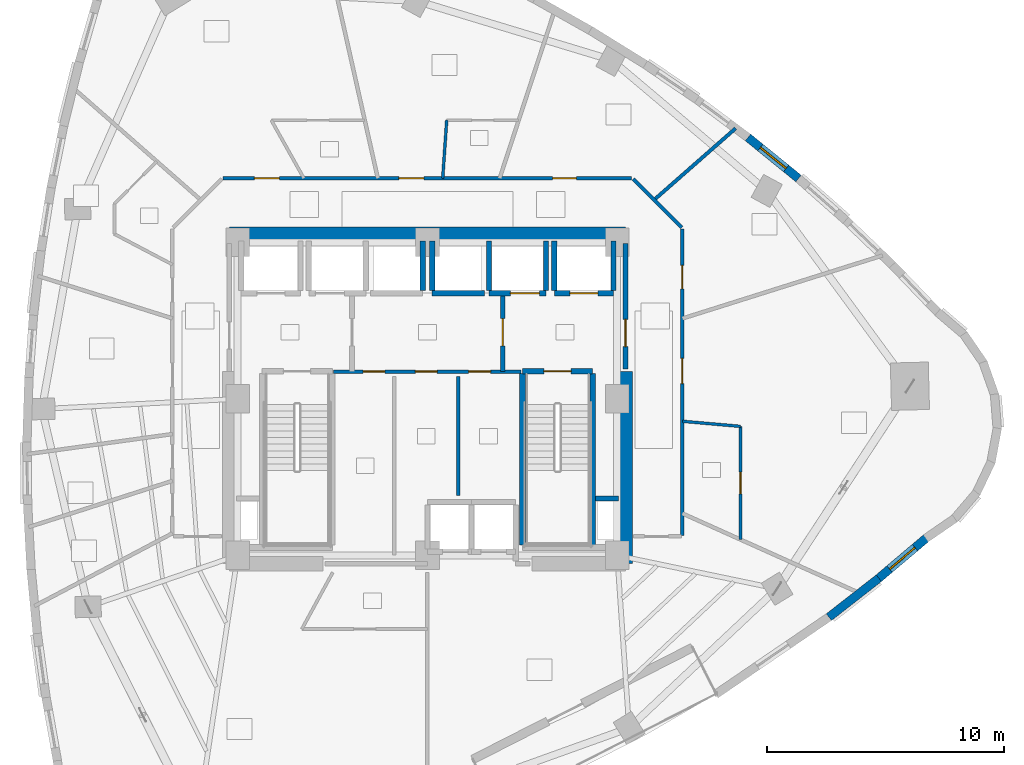
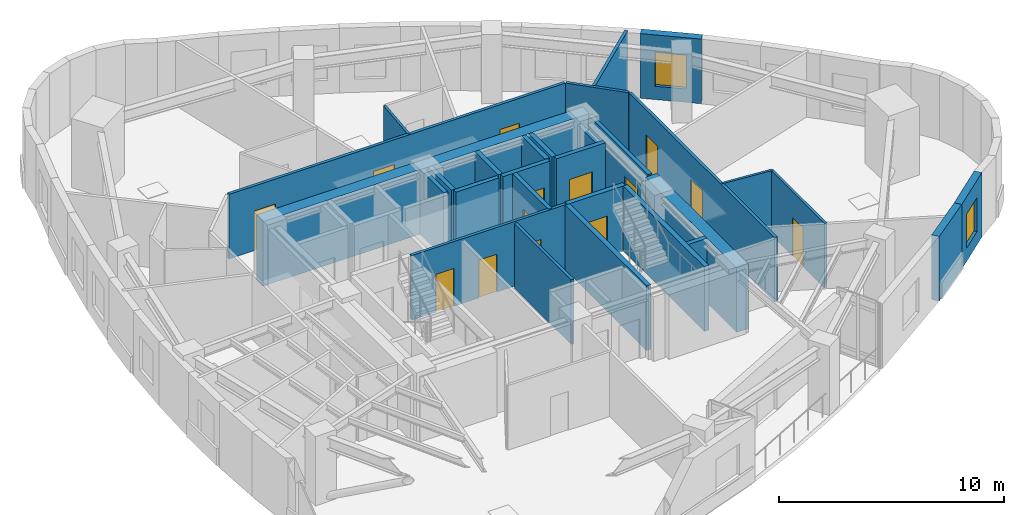
# One storey, part 7 of 12: 29 walls, 14 doors, 2 windows, 16 openings.
"""IFC4 building model written with IfcOpenShell, lengths in metres."""

import ifcopenshell
import ifcopenshell.guid

model = None  # the IFC model being written
_history = None  # IfcOwnerHistory: only IFC2X3 demands one
_inside = {}  # id of a spatial element -> (the spatial element, [elements in it])
_under = {}  # id of a project, library or spatial element -> (it, [spatial elements below it])
_declared = {}  # id of a project -> (the project, [libraries it declares])
_typed = {}  # id of a type object -> (the type object, [elements of that type])
_made_of = {}  # id of a material, layer set ... -> (it, [elements and type objects made of it])


def new_model(schema):
    """Start an empty IFC model of exactly this schema.

    Asked for "IFC4X3", IfcOpenShell would pick the latest addendum, in which some entities
    have other attributes; the version numbers below select the first issue.
    IFC2X3 requires an IfcOwnerHistory on every rooted entity: one is made here for all.
    """
    global model, _history
    if schema == "IFC4X3":
        model = ifcopenshell.file(schema_version=(4, 3, 0, 0))
    else:
        model = ifcopenshell.file(schema=schema)
    _inside.clear()
    _under.clear()
    _declared.clear()
    _typed.clear()
    _made_of.clear()
    _history = None
    if model.schema == "IFC2X3":
        org = make("IfcOrganization", Name="unknown")
        user = make(
            "IfcPersonAndOrganization",
            ThePerson=make("IfcPerson", FamilyName="unknown"),
            TheOrganization=org,
        )
        app = make(
            "IfcApplication",
            ApplicationDeveloper=org,
            Version="unknown",
            ApplicationFullName="unknown",
            ApplicationIdentifier="unknown",
        )
        _history = make(
            "IfcOwnerHistory",
            OwningUser=user,
            OwningApplication=app,
            ChangeAction="ADDED",
            CreationDate=0,
        )
    return model


def make(cls, **values):
    """One entity of the class cls with the attributes given. An attribute that is None is left unset."""
    return model.create_entity(
        cls, **{name: value for name, value in values.items() if value is not None}
    )


def rooted(cls, **values):
    """An entity with a GlobalId (a new one), such as an element, a storey or a relation."""
    return make(cls, GlobalId=ifcopenshell.guid.new(), OwnerHistory=_history, **values)


def si_unit(unit_type, name, prefix=None):
    """IfcSIUnit, for example si_unit("LENGTHUNIT", "METRE", prefix="MILLI")."""
    return make("IfcSIUnit", UnitType=unit_type, Prefix=prefix, Name=name)


def assignment(units):
    """IfcUnitAssignment: the units of a project."""
    return None if units is None else make("IfcUnitAssignment", Units=units)


def point(xyz):
    """IfcCartesianPoint."""
    return None if xyz is None else make("IfcCartesianPoint", Coordinates=xyz)


def direction(xyz):
    """IfcDirection."""
    return None if xyz is None else make("IfcDirection", DirectionRatios=xyz)


def frame(location, z_axis=None, x_axis=None):
    """IfcAxis2Placement3D, a coordinate frame: its origin and axes. An axis left out is left unset."""
    return make(
        "IfcAxis2Placement3D",
        Location=point(location),
        Axis=direction(z_axis),
        RefDirection=direction(x_axis),
    )


def frame_2d(location, x_axis=None):
    """IfcAxis2Placement2D, a coordinate frame in the plane: its origin and x axis."""
    return make(
        "IfcAxis2Placement2D", Location=point(location), RefDirection=direction(x_axis)
    )


def origin():
    """The frame at (0, 0, 0) with its axes left unset."""
    return frame((0.0, 0.0, 0.0))


def place(relative_to, where):
    """IfcLocalPlacement: puts the frame where relative to a parent placement (None: the world)."""
    return make(
        "IfcLocalPlacement", PlacementRelTo=relative_to, RelativePlacement=where
    )


def context(
    kind, dimensions, precision=None, world=None, true_north=None, identifier=None
):
    """IfcGeometricRepresentationContext, for example the 3D "Model" context."""
    return make(
        "IfcGeometricRepresentationContext",
        ContextIdentifier=identifier,
        ContextType=kind,
        CoordinateSpaceDimension=dimensions,
        Precision=precision,
        WorldCoordinateSystem=world,
        TrueNorth=true_north,
    )


def subcontext(parent, identifier, kind, view, scale=None):
    """IfcGeometricRepresentationSubContext, for example "Body" below "Model"."""
    return make(
        "IfcGeometricRepresentationSubContext",
        ContextIdentifier=identifier,
        ContextType=kind,
        ParentContext=parent,
        TargetScale=scale,
        TargetView=view,
    )


def project(units=None, contexts=None):
    """IfcProject with its units and contexts."""
    return rooted(
        "IfcProject",
        Name="project",
        RepresentationContexts=contexts,
        UnitsInContext=assignment(units),
    )


def spatial(cls, under=None, at=None, **own):
    """A site, building, storey or space (cls), placed at a placement, below another one or the project."""
    s = rooted(cls, ObjectPlacement=at, **own)
    if under is not None:
        _under.setdefault(under.id(), (under, []))[1].append(s)
    return s


def profile(cls, at=None, kind="AREA", **sizes):
    """A parametric profile (cls). Its sizes go by their IFC names, for example OverallWidth=200.0."""
    return make(cls, ProfileType=kind, Position=at, **sizes)


def rectangle(**sizes):
    """IfcRectangleProfileDef."""
    return profile("IfcRectangleProfileDef", **sizes)


def extrude(swept, where, along, depth):
    """IfcExtrudedAreaSolid: the profile swept, set in the frame where, extruded along a direction by depth."""
    return make(
        "IfcExtrudedAreaSolid",
        SweptArea=swept,
        Position=where,
        ExtrudedDirection=direction(along),
        Depth=depth,
    )


def shape(context_of_items, identifier, shape_type, items):
    """IfcShapeRepresentation: the items that make up one representation, for example the "Body"."""
    return make(
        "IfcShapeRepresentation",
        ContextOfItems=context_of_items,
        RepresentationIdentifier=identifier,
        RepresentationType=shape_type,
        Items=items,
    )


def material(Name=None, Category=None):
    """IfcMaterial."""
    return make("IfcMaterial", Name=Name, Category=Category)


def layer(
    of_material, thickness, ventilated=None, Name=None, Category=None, Priority=None
):
    """IfcMaterialLayer: one layer of a wall or slab, of a material (None: an air gap)."""
    return make(
        "IfcMaterialLayer",
        Material=of_material,
        LayerThickness=thickness,
        IsVentilated=ventilated,
        Name=Name,
        Category=Category,
        Priority=Priority,
    )


def layer_set(layers, Name=None):
    """IfcMaterialLayerSet."""
    return make("IfcMaterialLayerSet", MaterialLayers=layers, LayerSetName=Name)


def made_of(thing, what):
    """Note that an element or type object is made of a material, layer set ...; save() writes the relation."""
    if what is not None:
        _made_of.setdefault(what.id(), (what, []))[1].append(thing)
    return thing


def type_object(cls, material=None, **own):
    """A type object (cls), such as IfcWallType, which elements share."""
    return made_of(rooted(cls, **own), material)


def element(
    cls,
    number,
    at=None,
    inside=None,
    cuts=None,
    type_object=None,
    material=None,
    context=None,
    identifier="Body",
    shape_type=None,
    held_by="IfcProductDefinitionShape",
    body=None,
    shapes=None,
    **own,
):
    """One element of the class cls, such as IfcWall. Its Tag is "e" and its number.

    at: its placement. inside: the storey or other place that contains it. cuts: it is an
    opening in that element (IfcRelVoidsElement). A single representation is given by context,
    identifier, shape_type and body (its items); several are given by shapes. held_by: the class
    of the entity that holds the representations. save() writes the other relations.
    """
    e = rooted(cls, Tag="e%d" % number, ObjectPlacement=at, **own)
    if body is not None:
        shapes = [shape(context, identifier, shape_type, body)]
    if shapes is not None:
        e.Representation = make(held_by, Representations=shapes)
    if inside is not None:
        _inside.setdefault(inside.id(), (inside, []))[1].append(e)
    if cuts is not None:
        rooted(
            "IfcRelVoidsElement", RelatingBuildingElement=cuts, RelatedOpeningElement=e
        )
    if type_object is not None:
        _typed.setdefault(type_object.id(), (type_object, []))[1].append(e)
    return made_of(e, material)


def fill(opening, filler):
    """IfcRelFillsElement: the door or window that sits in an opening."""
    return rooted(
        "IfcRelFillsElement",
        RelatingOpeningElement=opening,
        RelatedBuildingElement=filler,
    )


def aggregate(whole, parts):
    """IfcRelAggregates: a whole, such as a stair, and the parts it consists of."""
    return rooted("IfcRelAggregates", RelatingObject=whole, RelatedObjects=parts)


def save(model, path):
    """Write the relations noted so far, then the file.

    IfcRelAggregates (storeys below a building ...), IfcRelContainedInSpatialStructure (elements
    in a storey), IfcRelDefinesByType, IfcRelAssociatesMaterial and IfcRelDeclares: one each for
    every whole, place, type object, material and project.
    """
    for whole, parts in _under.values():
        aggregate(whole, parts)
    for where, things in _inside.values():
        rooted(
            "IfcRelContainedInSpatialStructure",
            RelatedElements=things,
            RelatingStructure=where,
        )
    for kind, things in _typed.values():
        rooted("IfcRelDefinesByType", RelatedObjects=things, RelatingType=kind)
    for what, things in _made_of.values():
        rooted("IfcRelAssociatesMaterial", RelatedObjects=things, RelatingMaterial=what)
    for by, libraries in _declared.values():
        rooted("IfcRelDeclares", RelatingContext=by, RelatedDefinitions=libraries)
    model.write(path)


model = new_model("IFC4")

# Units and contexts
model_context = context("Model", 3, precision=1e-05, world=origin(), true_north=direction((0.0, 1.0)))
body_context = subcontext(model_context, "Body", "Model", "MODEL_VIEW")
ifc_project = project(units=[si_unit("LENGTHUNIT", "METRE"), si_unit("AREAUNIT", "SQUARE_METRE"), si_unit("VOLUMEUNIT", "CUBIC_METRE"), si_unit("PLANEANGLEUNIT", "RADIAN"), si_unit("MASSUNIT", "GRAM", prefix="KILO")], contexts=[model_context])

# Site, building, storey
site_placement = place(None, origin())
site = spatial("IfcSite", under=ifc_project, at=site_placement, CompositionType="ELEMENT")
building_placement = place(site_placement, origin())
building = spatial("IfcBuilding", under=site, at=building_placement, Name="Ndelora Gate Hotel", CompositionType="ELEMENT")
storey_placement = place(building_placement, frame((0.0, 0.0, 112.25)))
storey = spatial("IfcBuildingStorey", under=building, at=storey_placement, Name="L27", CompositionType="ELEMENT", Elevation=112.25)

# Wall
ifc_material_1 = material(Name="Clay Brick Masonry", Category="masonry")
ifc_layer_1 = layer(ifc_material_1, 0.360107421875)
ifc_layer_set_1 = layer_set([ifc_layer_1], Name="Clay Brick Masonry")
wall_type_1 = type_object("IfcWallType", Name="WL-BRICK-360", PredefinedType="SOLIDWALL", material=ifc_layer_set_1)
wall_1_placement = place(storey_placement, frame((19.0341796875, -7.561767578125, 0.0), z_axis=(0.0, 0.0, 1.0), x_axis=(-0.788341745542, -0.615237590071, 0.0)))
element("IfcWall", 1, at=wall_1_placement, inside=storey, type_object=wall_type_1, Name="L27 Tower Brick Pier-and-Spandrel Wall TWR-37", PredefinedType="SOLIDWALL", context=body_context, shape_type="SweptSolid", body=[
    extrude(rectangle(XDim=2.669921875, YDim=0.360107421875, at=frame_2d((1.3349609375, 0.0))), origin(), (0.0, 0.0, 1.0), 3.5),
])

# Wall, opening, window
wall_2_placement = place(storey_placement, frame((21.05078125, -5.855712890625, 0.0), z_axis=(0.0, 0.0, 1.0), x_axis=(-0.763688985819, -0.64558433449, 0.0)))
wall_2 = element("IfcWall", 2, at=wall_2_placement, inside=storey, type_object=wall_type_1, Name="L27 Tower Brick Pier-and-Spandrel Wall TWR-38", PredefinedType="SOLIDWALL", context=body_context, shape_type="SweptSolid", body=[
    extrude(rectangle(XDim=2.69140625, YDim=0.360107421875, at=frame_2d((1.345703125, 0.0))), origin(), (0.0, 0.0, 1.0), 3.5),
])
opening_1_placement = place(wall_2_placement, frame((0.645751953125, 0.0, 0.719970703125)))
opening_1 = element("IfcOpeningElement", 3, at=opening_1_placement, cuts=wall_2, Name="Opening W02", PredefinedType="OPENING", context=body_context, shape_type="SweptSolid", body=[
    extrude(rectangle(XDim=1.39990234375, YDim=1.840087890625, at=frame_2d((0.699951171875, 0.919921875))), frame((0.0, 0.18994140625, 0.0), z_axis=(0.0, -1.0, 0.0), x_axis=(1.0, 0.0, 0.0)), (0.0, 0.0, 1.0), 0.380126953125),
])
ifc_material_2 = material(Name="Insulated Low-E Double Glazing in Bronze Aluminium Frame", Category="aluminium")
window_type = type_object("IfcWindowType", Name="WN-DEEP-1400", PartitioningType="SINGLE_PANEL", PredefinedType="WINDOW", material=ifc_material_2)
window_1_placement = place(opening_1_placement, origin())
window_1 = element("IfcWindow", 4, at=window_1_placement, inside=storey, type_object=window_type, Name="L27 Deep-Set Brick-Pier Window W02", OverallHeight=1.840087890625, OverallWidth=1.39990234375, PartitioningType="SINGLE_PANEL", PredefinedType="WINDOW", context=body_context, shape_type="SweptSolid", body=[
    extrude(rectangle(XDim=1.39990234375, YDim=1.840087890625, at=frame_2d((0.699951171875, 0.919921875))), frame((0.0, 0.030029296875, 0.0), z_axis=(0.0, -1.0, 0.0), x_axis=(1.0, 0.0, 0.0)), (0.0, 0.0, 1.0), 0.06005859375),
])
fill(opening_1, window_1)

wall_3_placement = place(storey_placement, frame((13.516357421875, 11.021484375, 0.0), z_axis=(0.0, 0.0, 1.0), x_axis=(0.776448630517, -0.630180548866, 0.0)))
wall_3 = element("IfcWall", 5, at=wall_3_placement, inside=storey, type_object=wall_type_1, Name="L27 Tower Brick Pier-and-Spandrel Wall TWR-50", PredefinedType="SOLIDWALL", context=body_context, shape_type="SweptSolid", body=[
    extrude(rectangle(XDim=2.744140625, YDim=0.360107421875, at=frame_2d((1.3720703125, 0.0))), origin(), (0.0, 0.0, 1.0), 3.5),
])
opening_2_placement = place(wall_3_placement, frame((0.672119140625, 0.0, 0.719970703125)))
opening_2 = element("IfcOpeningElement", 6, at=opening_2_placement, cuts=wall_3, Name="Opening W02", PredefinedType="OPENING", context=body_context, shape_type="SweptSolid", body=[
    extrude(rectangle(XDim=1.39990234375, YDim=1.840087890625, at=frame_2d((0.699951171875, 0.919921875))), frame((0.0, 0.18994140625, 0.0), z_axis=(0.0, -1.0, 0.0), x_axis=(1.0, 0.0, 0.0)), (0.0, 0.0, 1.0), 0.380126953125),
])
window_2_placement = place(opening_2_placement, origin())
window_2 = element("IfcWindow", 7, at=window_2_placement, inside=storey, type_object=window_type, Name="L27 Deep-Set Brick-Pier Window W02", OverallHeight=1.840087890625, OverallWidth=1.39990234375, PartitioningType="SINGLE_PANEL", PredefinedType="WINDOW", context=body_context, shape_type="SweptSolid", body=[
    extrude(rectangle(XDim=1.39990234375, YDim=1.840087890625, at=frame_2d((0.699951171875, 0.919921875))), frame((0.0, 0.030029296875, 0.0), z_axis=(0.0, -1.0, 0.0), x_axis=(1.0, 0.0, 0.0)), (0.0, 0.0, 1.0), 0.06005859375),
])
fill(opening_2, window_2)

# Walls
ifc_material_3 = material(Name="Concrete C60/75", Category="concrete")
ifc_layer_2 = layer(ifc_material_3, 0.60009765625)
ifc_layer_set_2 = layer_set([ifc_layer_2], Name="Concrete C60/75")
wall_type_2 = type_object("IfcWallType", Name="WL-CORE-600", PredefinedType="SHEAR", material=ifc_layer_set_2)
wall_4_placement = place(storey_placement, frame((-8.35009765625, 6.949951171875, 0.0), z_axis=(0.0, 0.0, 1.0), x_axis=(1.0, 0.0, 0.0)))
element("IfcWall", 8, at=wall_4_placement, inside=storey, type_object=wall_type_2, Name="L27 Core Shear Wall N", PredefinedType="SHEAR", context=body_context, shape_type="SweptSolid", body=[
    extrude(rectangle(XDim=16.7001953125, YDim=0.60009765625, at=frame_2d((8.35009765625, 0.0))), origin(), (0.0, 0.0, 1.0), 3.5),
])
wall_5_placement = place(storey_placement, frame((8.35009765625, -6.949951171875, 0.0), z_axis=(0.0, 0.0, 1.0), x_axis=(0.0, 1.0, 0.0)))
element("IfcWall", 9, at=wall_5_placement, inside=storey, type_object=wall_type_2, Name="L27 Core Shear Wall E", PredefinedType="SHEAR", context=body_context, shape_type="SweptSolid", body=[
    extrude(rectangle(XDim=8.099853515625, YDim=0.60009765625, at=frame_2d((4.0498046875, 0.0))), origin(), (0.0, 0.0, 1.0), 3.5),
])

# Wall, opening, door
ifc_material_4 = material(Name="Concrete C40/50", Category="concrete")
ifc_layer_3 = layer(ifc_material_4, 0.199951171875)
ifc_layer_set_3 = layer_set([ifc_layer_3], Name="Concrete C40/50")
wall_type_3 = type_object("IfcWallType", Name="WL-FIRE-200", PredefinedType="PARTITIONING", material=ifc_layer_set_3)
wall_6_placement = place(storey_placement, frame((3.179931640625, 1.14990234375, 0.0), z_axis=(0.0, 0.0, 1.0), x_axis=(0.0, 1.0, 0.0)))
wall_6 = element("IfcWall", 10, at=wall_6_placement, inside=storey, type_object=wall_type_3, Name="L27 Interior Wall IW-2", PredefinedType="PARTITIONING", context=body_context, shape_type="SweptSolid", body=[
    extrude(rectangle(XDim=3.300048828125, YDim=0.199951171875, at=frame_2d((1.64990234375, 0.0))), origin(), (0.0, 0.0, 1.0), 3.5),
])
opening_3_placement = place(wall_6_placement, frame((1.080078125, 0.0, 0.0)))
opening_3 = element("IfcOpeningElement", 11, at=opening_3_placement, cuts=wall_6, Name="Opening FD1", PredefinedType="OPENING", context=body_context, shape_type="SweptSolid", body=[
    extrude(rectangle(XDim=1.14990234375, YDim=2.14990234375, at=frame_2d((0.574951171875, 1.074951171875))), frame((0.0, 0.10986328125, 0.0), z_axis=(0.0, -1.0, 0.0), x_axis=(1.0, 0.0, 0.0)), (0.0, 0.0, 1.0), 0.219970703125),
])
ifc_material_5 = material(Name="Fire-Rated Timber-Veneer Steel Core", Category="steel")
door_type_1 = type_object("IfcDoorType", Name="DR-FD60", OperationType="SINGLE_SWING_LEFT", PredefinedType="DOOR", material=ifc_material_5)
door_1_placement = place(opening_3_placement, origin())
door_1 = element("IfcDoor", 12, at=door_1_placement, inside=storey, type_object=door_type_1, Name="L27 Firefighting Lobby East Door", OperationType="SINGLE_SWING_LEFT", OverallHeight=2.14990234375, OverallWidth=1.14990234375, PredefinedType="DOOR", context=body_context, shape_type="SweptSolid", body=[
    extrude(rectangle(XDim=1.14990234375, YDim=2.14990234375, at=frame_2d((0.574951171875, 1.074951171875))), frame((0.0, 0.02490234375, 0.0), z_axis=(0.0, -1.0, 0.0), x_axis=(1.0, 0.0, 0.0)), (0.0, 0.0, 1.0), 0.050048828125),
])
fill(opening_3, door_1)

wall_7_placement = place(storey_placement, frame((8.35009765625, 1.25, 0.0), z_axis=(0.0, 0.0, 1.0), x_axis=(0.0, 1.0, 0.0)))
wall_7 = element("IfcWall", 13, at=wall_7_placement, inside=storey, type_object=wall_type_3, Name="L27 Interior Wall IW-2", PredefinedType="PARTITIONING", context=body_context, shape_type="SweptSolid", body=[
    extrude(rectangle(XDim=5.300048828125, YDim=0.199951171875, at=frame_2d((2.64990234375, 0.0))), origin(), (0.0, 0.0, 1.0), 3.5),
])
opening_4_placement = place(wall_7_placement, frame((0.949951171875, 0.0, 0.0)))
opening_4 = element("IfcOpeningElement", 14, at=opening_4_placement, cuts=wall_7, Name="Opening FD1", PredefinedType="OPENING", context=body_context, shape_type="SweptSolid", body=[
    extrude(rectangle(XDim=1.14990234375, YDim=2.14990234375, at=frame_2d((0.574951171875, 1.074951171875))), frame((0.0, 0.10986328125, 0.0), z_axis=(0.0, -1.0, 0.0), x_axis=(1.0, 0.0, 0.0)), (0.0, 0.0, 1.0), 0.219970703125),
])
door_2_placement = place(opening_4_placement, origin())
door_2 = element("IfcDoor", 15, at=door_2_placement, inside=storey, type_object=door_type_1, Name="L27 Firefighting Lobby East Corridor Door", OperationType="SINGLE_SWING_RIGHT", OverallHeight=2.14990234375, OverallWidth=1.14990234375, PredefinedType="DOOR", context=body_context, shape_type="SweptSolid", body=[
    extrude(rectangle(XDim=1.14990234375, YDim=2.14990234375, at=frame_2d((0.574951171875, 1.074951171875))), frame((0.0, 0.02490234375, 0.0), z_axis=(0.0, -1.0, 0.0), x_axis=(1.0, 0.0, 0.0)), (0.0, 0.0, 1.0), 0.050048828125),
])
fill(opening_4, door_2)

# Wall, openings, doors
ifc_material_6 = material(Name="Fire-Rated Gypsum Stud Partition", Category="gypsum")
ifc_layer_4 = layer(ifc_material_6, 0.14990234375)
ifc_layer_set_4 = layer_set([ifc_layer_4], Name="Fire-Rated Gypsum Stud Partition")
wall_type_4 = type_object("IfcWallType", Name="WL-PART-150", PredefinedType="PARTITIONING", material=ifc_layer_set_4)
wall_8_placement = place(storey_placement, frame((3.949951171875, 1.14990234375, 0.0), z_axis=(0.0, 0.0, 1.0), x_axis=(-1.0, 0.0, 0.0)))
wall_8 = element("IfcWall", 16, at=wall_8_placement, inside=storey, type_object=wall_type_4, Name="L27 Interior Wall IW-5", PredefinedType="PARTITIONING", context=body_context, shape_type="SweptSolid", body=[
    extrude(rectangle(XDim=7.89990234375, YDim=0.14990234375, at=frame_2d((3.949951171875, 0.0))), origin(), (0.0, 0.0, 1.0), 3.5),
])
opening_5_placement = place(wall_8_placement, frame((5.739990234375, 0.0, 0.0)))
opening_5 = element("IfcOpeningElement", 17, at=opening_5_placement, cuts=wall_8, Name="Opening D04", PredefinedType="OPENING", context=body_context, shape_type="SweptSolid", body=[
    extrude(rectangle(XDim=0.919921875, YDim=2.050048828125, at=frame_2d((0.4599609375, 1.02490234375))), frame((0.0, 0.0849609375, 0.0), z_axis=(0.0, -1.0, 0.0), x_axis=(1.0, 0.0, 0.0)), (0.0, 0.0, 1.0), 0.169921875),
])
opening_6_placement = place(wall_8_placement, frame((3.5400390625, 0.0, 0.0)))
opening_6 = element("IfcOpeningElement", 18, at=opening_6_placement, cuts=wall_8, Name="Opening D04", PredefinedType="OPENING", context=body_context, shape_type="SweptSolid", body=[
    extrude(rectangle(XDim=0.919921875, YDim=2.050048828125, at=frame_2d((0.4599609375, 1.02490234375))), frame((0.0, 0.0849609375, 0.0), z_axis=(0.0, -1.0, 0.0), x_axis=(1.0, 0.0, 0.0)), (0.0, 0.0, 1.0), 0.169921875),
])
opening_7_placement = place(wall_8_placement, frame((1.2900390625, 0.0, 0.0)))
opening_7 = element("IfcOpeningElement", 19, at=opening_7_placement, cuts=wall_8, Name="Opening D04", PredefinedType="OPENING", context=body_context, shape_type="SweptSolid", body=[
    extrude(rectangle(XDim=0.919921875, YDim=2.050048828125, at=frame_2d((0.4599609375, 1.02490234375))), frame((0.0, 0.0849609375, 0.0), z_axis=(0.0, -1.0, 0.0), x_axis=(1.0, 0.0, 0.0)), (0.0, 0.0, 1.0), 0.169921875),
])
ifc_material_7 = material(Name="Painted Steel Core Service Door", Category="steel")
door_type_2 = type_object("IfcDoorType", Name="DR-SER-920", OperationType="SINGLE_SWING_LEFT", PredefinedType="DOOR", material=ifc_material_7)
door_3_placement = place(opening_5_placement, origin())
door_3 = element("IfcDoor", 20, at=door_3_placement, inside=storey, type_object=door_type_2, Name="L27 Core Cleaners Store Door", OperationType="SINGLE_SWING_LEFT", OverallHeight=2.050048828125, OverallWidth=0.919921875, PredefinedType="DOOR", context=body_context, shape_type="SweptSolid", body=[
    extrude(rectangle(XDim=0.919921875, YDim=2.050048828125, at=frame_2d((0.4599609375, 1.02490234375))), frame((0.0, 0.02490234375, 0.0), z_axis=(0.0, -1.0, 0.0), x_axis=(1.0, 0.0, 0.0)), (0.0, 0.0, 1.0), 0.050048828125),
])
fill(opening_5, door_3)
door_4_placement = place(opening_6_placement, origin())
door_4 = element("IfcDoor", 21, at=door_4_placement, inside=storey, type_object=door_type_2, Name="L27 Core Telecoms Equipment Room Door", OperationType="SINGLE_SWING_RIGHT", OverallHeight=2.050048828125, OverallWidth=0.919921875, PredefinedType="DOOR", context=body_context, shape_type="SweptSolid", body=[
    extrude(rectangle(XDim=0.919921875, YDim=2.050048828125, at=frame_2d((0.4599609375, 1.02490234375))), frame((0.0, 0.02490234375, 0.0), z_axis=(0.0, -1.0, 0.0), x_axis=(1.0, 0.0, 0.0)), (0.0, 0.0, 1.0), 0.050048828125),
])
fill(opening_6, door_4)
door_5_placement = place(opening_7_placement, origin())
door_5 = element("IfcDoor", 22, at=door_5_placement, inside=storey, type_object=door_type_2, Name="L27 Core Electrical Metering Room Door", OperationType="SINGLE_SWING_LEFT", OverallHeight=2.050048828125, OverallWidth=0.919921875, PredefinedType="DOOR", context=body_context, shape_type="SweptSolid", body=[
    extrude(rectangle(XDim=0.919921875, YDim=2.050048828125, at=frame_2d((0.4599609375, 1.02490234375))), frame((0.0, 0.02490234375, 0.0), z_axis=(0.0, -1.0, 0.0), x_axis=(1.0, 0.0, 0.0)), (0.0, 0.0, 1.0), 0.050048828125),
])
fill(opening_7, door_5)

# Wall
wall_9_placement = place(storey_placement, frame((1.300048828125, -4.080078125, 0.0), z_axis=(0.0, 0.0, 1.0), x_axis=(0.0, 1.0, 0.0)))
element("IfcWall", 23, at=wall_9_placement, inside=storey, type_object=wall_type_4, Name="L27 Interior Wall IW-5", PredefinedType="PARTITIONING", context=body_context, shape_type="SweptSolid", body=[
    extrude(rectangle(XDim=5.030029296875, YDim=0.14990234375, at=frame_2d((2.51513671875, 0.0))), origin(), (0.0, 0.0, 1.0), 3.5),
])

# Wall, openings, doors
wall_10_placement = place(storey_placement, frame((10.75, 7.159912109375, 0.0), z_axis=(0.0, 0.0, 1.0), x_axis=(0.0, -1.0, 0.0)))
wall_10 = element("IfcWall", 24, at=wall_10_placement, inside=storey, type_object=wall_type_4, Name="L27 Interior Wall IW-5", PredefinedType="PARTITIONING", context=body_context, shape_type="SweptSolid", body=[
    extrude(rectangle(XDim=12.919921875, YDim=0.14990234375, at=frame_2d((6.4599609375, 0.0))), origin(), (0.0, 0.0, 1.0), 3.5),
])
opening_8_placement = place(wall_10_placement, frame((1.526611328125, 0.0, 0.0)))
opening_8 = element("IfcOpeningElement", 25, at=opening_8_placement, cuts=wall_10, Name="Opening D01", PredefinedType="OPENING", context=body_context, shape_type="SweptSolid", body=[
    extrude(rectangle(XDim=1.0, YDim=2.14990234375, at=frame_2d((0.5, 1.074951171875))), frame((0.0, 0.0849609375, 0.0), z_axis=(0.0, -1.0, 0.0), x_axis=(1.0, 0.0, 0.0)), (0.0, 0.0, 1.0), 0.169921875),
])
opening_9_placement = place(wall_10_placement, frame((5.455078125, 0.0, 0.0)))
opening_9 = element("IfcOpeningElement", 26, at=opening_9_placement, cuts=wall_10, Name="Opening D07", PredefinedType="OPENING", context=body_context, shape_type="SweptSolid", body=[
    extrude(rectangle(XDim=1.06005859375, YDim=2.14990234375, at=frame_2d((0.530029296875, 1.074951171875))), frame((0.0, 0.0849609375, 0.0), z_axis=(0.0, -1.0, 0.0), x_axis=(1.0, 0.0, 0.0)), (0.0, 0.0, 1.0), 0.169921875),
])
ifc_material_8 = material(Name="Acoustic Hardwood Guest Entrance Door", Category="wood")
door_type_3 = type_object("IfcDoorType", Name="DR-COR-1000", OperationType="SINGLE_SWING_LEFT", PredefinedType="DOOR", material=ifc_material_8)
door_6_placement = place(opening_8_placement, origin())
door_6 = element("IfcDoor", 27, at=door_6_placement, inside=storey, type_object=door_type_3, Name="L27 Executive Study Office Entrance Door", OperationType="SINGLE_SWING_RIGHT", OverallHeight=2.14990234375, OverallWidth=1.0, PredefinedType="DOOR", context=body_context, shape_type="SweptSolid", body=[
    extrude(rectangle(XDim=1.0, YDim=2.14990234375, at=frame_2d((0.5, 1.074951171875))), frame((0.0, 0.02490234375, 0.0), z_axis=(0.0, -1.0, 0.0), x_axis=(1.0, 0.0, 0.0)), (0.0, 0.0, 1.0), 0.050048828125),
])
fill(opening_8, door_6)
ifc_material_9 = material(Name="Diplomatic Suite Acoustic Entrance Door", Category="wood")
door_type_4 = type_object("IfcDoorType", Name="DR-SUITE-1060", OperationType="SINGLE_SWING_LEFT", PredefinedType="DOOR", material=ifc_material_9)
door_7_placement = place(opening_9_placement, origin())
door_7 = element("IfcDoor", 28, at=door_7_placement, inside=storey, type_object=door_type_4, Name="L27 Club King Junior Suite 3002 Entrance Door", OperationType="SINGLE_SWING_LEFT", OverallHeight=2.14990234375, OverallWidth=1.06005859375, PredefinedType="DOOR", context=body_context, shape_type="SweptSolid", body=[
    extrude(rectangle(XDim=1.06005859375, YDim=2.14990234375, at=frame_2d((0.530029296875, 1.074951171875))), frame((0.0, 0.02490234375, 0.0), z_axis=(0.0, -1.0, 0.0), x_axis=(1.0, 0.0, 0.0)), (0.0, 0.0, 1.0), 0.050048828125),
])
fill(opening_9, door_7)

# Wall
wall_11_placement = place(storey_placement, frame((8.67822265625, 9.271728515625, 0.0), z_axis=(0.0, 0.0, 1.0), x_axis=(0.707106781187, -0.707106781187, 0.0)))
element("IfcWall", 29, at=wall_11_placement, inside=storey, type_object=wall_type_4, Name="L27 Interior Wall IW-5", PredefinedType="PARTITIONING", context=body_context, shape_type="SweptSolid", body=[
    extrude(rectangle(XDim=2.889892578125, YDim=0.14990234375, at=frame_2d((1.44482421875, 0.0))), origin(), (0.0, 0.0, 1.0), 3.5),
])

# Wall, openings, doors
wall_12_placement = place(storey_placement, frame((-8.610107421875, 9.300048828125, 0.0), z_axis=(0.0, 0.0, 1.0), x_axis=(1.0, 0.0, 0.0)))
wall_12 = element("IfcWall", 30, at=wall_12_placement, inside=storey, type_object=wall_type_4, Name="L27 Interior Wall IW-5", PredefinedType="PARTITIONING", context=body_context, shape_type="SweptSolid", body=[
    extrude(rectangle(XDim=17.22021484375, YDim=0.14990234375, at=frame_2d((8.610107421875, 0.0))), origin(), (0.0, 0.0, 1.0), 3.5),
])
opening_10_placement = place(wall_12_placement, frame((13.88818359375, 0.0, 0.0)))
opening_10 = element("IfcOpeningElement", 31, at=opening_10_placement, cuts=wall_12, Name="Opening D01", PredefinedType="OPENING", context=body_context, shape_type="SweptSolid", body=[
    extrude(rectangle(XDim=1.0, YDim=2.14990234375, at=frame_2d((0.5, 1.074951171875))), frame((0.0, 0.0849609375, 0.0), z_axis=(0.0, -1.0, 0.0), x_axis=(1.0, 0.0, 0.0)), (0.0, 0.0, 1.0), 0.169921875),
])
opening_11_placement = place(wall_12_placement, frame((7.404052734375, 0.0, 0.0)))
opening_11 = element("IfcOpeningElement", 32, at=opening_11_placement, cuts=wall_12, Name="Opening D07", PredefinedType="OPENING", context=body_context, shape_type="SweptSolid", body=[
    extrude(rectangle(XDim=1.06005859375, YDim=2.14990234375, at=frame_2d((0.530029296875, 1.074951171875))), frame((0.0, 0.0849609375, 0.0), z_axis=(0.0, -1.0, 0.0), x_axis=(1.0, 0.0, 0.0)), (0.0, 0.0, 1.0), 0.169921875),
])
opening_12_placement = place(wall_12_placement, frame((1.309326171875, 0.0, 0.0)))
opening_12 = element("IfcOpeningElement", 33, at=opening_12_placement, cuts=wall_12, Name="Opening D07", PredefinedType="OPENING", context=body_context, shape_type="SweptSolid", body=[
    extrude(rectangle(XDim=1.06005859375, YDim=2.14990234375, at=frame_2d((0.530029296875, 1.074951171875))), frame((0.0, 0.0849609375, 0.0), z_axis=(0.0, -1.0, 0.0), x_axis=(1.0, 0.0, 0.0)), (0.0, 0.0, 1.0), 0.169921875),
])
door_8_placement = place(opening_10_placement, origin())
door_8 = element("IfcDoor", 34, at=door_8_placement, inside=storey, type_object=door_type_3, Name="L27 Diplomatic Meeting Room Entrance Door", OperationType="SINGLE_SWING_LEFT", OverallHeight=2.14990234375, OverallWidth=1.0, PredefinedType="DOOR", context=body_context, shape_type="SweptSolid", body=[
    extrude(rectangle(XDim=1.0, YDim=2.14990234375, at=frame_2d((0.5, 1.074951171875))), frame((0.0, 0.02490234375, 0.0), z_axis=(0.0, -1.0, 0.0), x_axis=(1.0, 0.0, 0.0)), (0.0, 0.0, 1.0), 0.050048828125),
])
fill(opening_10, door_8)
door_9_placement = place(opening_11_placement, origin())
door_9 = element("IfcDoor", 35, at=door_9_placement, inside=storey, type_object=door_type_4, Name="L27 Panoramic South Diplomatic Suite 3003 Entrance Door", OperationType="SINGLE_SWING_RIGHT", OverallHeight=2.14990234375, OverallWidth=1.06005859375, PredefinedType="DOOR", context=body_context, shape_type="SweptSolid", body=[
    extrude(rectangle(XDim=1.06005859375, YDim=2.14990234375, at=frame_2d((0.530029296875, 1.074951171875))), frame((0.0, 0.02490234375, 0.0), z_axis=(0.0, -1.0, 0.0), x_axis=(1.0, 0.0, 0.0)), (0.0, 0.0, 1.0), 0.050048828125),
])
fill(opening_11, door_9)
door_10_placement = place(opening_12_placement, origin())
door_10 = element("IfcDoor", 36, at=door_10_placement, inside=storey, type_object=door_type_4, Name="L27 Corner Club Suite 3004 Entrance Door", OperationType="SINGLE_SWING_RIGHT", OverallHeight=2.14990234375, OverallWidth=1.06005859375, PredefinedType="DOOR", context=body_context, shape_type="SweptSolid", body=[
    extrude(rectangle(XDim=1.06005859375, YDim=2.14990234375, at=frame_2d((0.530029296875, 1.074951171875))), frame((0.0, 0.02490234375, 0.0), z_axis=(0.0, -1.0, 0.0), x_axis=(1.0, 0.0, 0.0)), (0.0, 0.0, 1.0), 0.050048828125),
])
fill(opening_12, door_10)

# Walls
wall_13_placement = place(storey_placement, frame((9.5595703125, 8.390380859375, 0.0), z_axis=(0.0, 0.0, 1.0), x_axis=(0.751553842158, 0.659671753478, 0.0)))
element("IfcWall", 37, at=wall_13_placement, inside=storey, type_object=wall_type_4, Name="L27 Interior Wall IW-5", PredefinedType="PARTITIONING", context=body_context, shape_type="SweptSolid", body=[
    extrude(rectangle(XDim=4.572998046875, YDim=0.14990234375, at=frame_2d((2.28662109375, 0.0))), origin(), (0.0, 0.0, 1.0), 3.5),
])
ifc_layer_5 = layer(ifc_material_4, 0.219970703125)
ifc_layer_set_5 = layer_set([ifc_layer_5], Name="Concrete C40/50")
wall_type_5 = type_object("IfcWallType", Name="WL-SHAFT-220", PredefinedType="PARTITIONING", material=ifc_layer_set_5)
wall_14_placement = place(storey_placement, frame((7.090087890625, -4.199951171875, 0.0), z_axis=(0.0, 0.0, 1.0), x_axis=(1.0, 0.0, 0.0)))
element("IfcWall", 38, at=wall_14_placement, inside=storey, type_object=wall_type_5, Name="L27 Interior Wall IW-1", PredefinedType="PARTITIONING", context=body_context, shape_type="SweptSolid", body=[
    extrude(rectangle(XDim=0.9599609375, YDim=0.219970703125, at=frame_2d((0.47998046875, 0.0))), origin(), (0.0, 0.0, 1.0), 3.5),
])

# Wall, opening, door
wall_15_placement = place(storey_placement, frame((5.35009765625, 4.449951171875, 0.0), z_axis=(0.0, 0.0, 1.0), x_axis=(1.0, 0.0, 0.0)))
wall_15 = element("IfcWall", 39, at=wall_15_placement, inside=storey, type_object=wall_type_5, Name="L27 Interior Wall IW-1", PredefinedType="PARTITIONING", context=body_context, shape_type="SweptSolid", body=[
    extrude(rectangle(XDim=2.5, YDim=0.219970703125, at=frame_2d((1.25, 0.0))), origin(), (0.0, 0.0, 1.0), 3.5),
])
opening_13_placement = place(wall_15_placement, frame((0.659912109375, 0.0, 0.0)))
opening_13 = element("IfcOpeningElement", 40, at=opening_13_placement, cuts=wall_15, Name="Opening LD5", PredefinedType="OPENING", context=body_context, shape_type="SweptSolid", body=[
    extrude(rectangle(XDim=1.179931640625, YDim=2.14990234375, at=frame_2d((0.58984375, 1.074951171875))), frame((0.0, 0.1201171875, 0.0), z_axis=(0.0, -1.0, 0.0), x_axis=(1.0, 0.0, 0.0)), (0.0, 0.0, 1.0), 0.239990234375),
])
ifc_material_10 = material(Name="Firefighting Lift Stainless Sliding Landing Door", Category="metal")
door_type_5 = type_object("IfcDoorType", Name="DR-LD5", OperationType="DOUBLE_DOOR_SLIDING", PredefinedType="DOOR", material=ifc_material_10)
door_11_placement = place(opening_13_placement, origin())
door_11 = element("IfcDoor", 41, at=door_11_placement, inside=storey, type_object=door_type_5, Name="L27 Lift Landing Sliding Door FFL2", OperationType="DOUBLE_DOOR_SLIDING", OverallHeight=2.14990234375, OverallWidth=1.179931640625, PredefinedType="DOOR", context=body_context, shape_type="SweptSolid", body=[
    extrude(rectangle(XDim=1.179931640625, YDim=2.14990234375, at=frame_2d((0.58984375, 1.074951171875))), frame((0.0, 0.02490234375, 0.0), z_axis=(0.0, -1.0, 0.0), x_axis=(1.0, 0.0, 0.0)), (0.0, 0.0, 1.0), 0.050048828125),
])
fill(opening_13, door_11)

# Walls
wall_16_placement = place(storey_placement, frame((5.35009765625, 4.570068359375, 0.0), z_axis=(0.0, 0.0, 1.0), x_axis=(0.0, 1.0, 0.0)))
element("IfcWall", 42, at=wall_16_placement, inside=storey, type_object=wall_type_5, Name="L27 Interior Wall IW-1", PredefinedType="PARTITIONING", context=body_context, shape_type="SweptSolid", body=[
    extrude(rectangle(XDim=2.079833984375, YDim=0.219970703125, at=frame_2d((1.0400390625, 0.0))), origin(), (0.0, 0.0, 1.0), 3.5),
])
wall_17_placement = place(storey_placement, frame((7.85009765625, 4.570068359375, 0.0), z_axis=(0.0, 0.0, 1.0), x_axis=(0.0, 1.0, 0.0)))
element("IfcWall", 43, at=wall_17_placement, inside=storey, type_object=wall_type_5, Name="L27 Interior Wall IW-1", PredefinedType="PARTITIONING", context=body_context, shape_type="SweptSolid", body=[
    extrude(rectangle(XDim=2.079833984375, YDim=0.219970703125, at=frame_2d((1.0400390625, 0.0))), origin(), (0.0, 0.0, 1.0), 3.1201171875),
])

# Wall, opening, door
wall_18_placement = place(storey_placement, frame((2.60009765625, 4.449951171875, 0.0), z_axis=(0.0, 0.0, 1.0), x_axis=(1.0, 0.0, 0.0)))
wall_18 = element("IfcWall", 44, at=wall_18_placement, inside=storey, type_object=wall_type_5, Name="L27 Interior Wall IW-1", PredefinedType="PARTITIONING", context=body_context, shape_type="SweptSolid", body=[
    extrude(rectangle(XDim=2.39990234375, YDim=0.219970703125, at=frame_2d((1.199951171875, 0.0))), origin(), (0.0, 0.0, 1.0), 3.5),
])
opening_14_placement = place(wall_18_placement, frame((0.89990234375, 0.0, 0.0)))
opening_14 = element("IfcOpeningElement", 45, at=opening_14_placement, cuts=wall_18, Name="Opening LD6", PredefinedType="OPENING", context=body_context, shape_type="SweptSolid", body=[
    extrude(rectangle(XDim=1.219970703125, YDim=2.14990234375, at=frame_2d((0.60986328125, 1.074951171875))), frame((0.0, 0.1201171875, 0.0), z_axis=(0.0, -1.0, 0.0), x_axis=(1.0, 0.0, 0.0)), (0.0, 0.0, 1.0), 0.239990234375),
])
ifc_material_11 = material(Name="Heavy-Duty Service Lift Sliding Landing Door", Category="wood")
door_type_6 = type_object("IfcDoorType", Name="DR-LD6", OperationType="DOUBLE_DOOR_SLIDING", PredefinedType="DOOR", material=ifc_material_11)
door_12_placement = place(opening_14_placement, origin())
door_12 = element("IfcDoor", 46, at=door_12_placement, inside=storey, type_object=door_type_6, Name="L27 Lift Landing Sliding Door SVL2", OperationType="DOUBLE_DOOR_SLIDING", OverallHeight=2.14990234375, OverallWidth=1.219970703125, PredefinedType="DOOR", context=body_context, shape_type="SweptSolid", body=[
    extrude(rectangle(XDim=1.219970703125, YDim=2.14990234375, at=frame_2d((0.60986328125, 1.074951171875))), frame((0.0, 0.02490234375, 0.0), z_axis=(0.0, -1.0, 0.0), x_axis=(1.0, 0.0, 0.0)), (0.0, 0.0, 1.0), 0.050048828125),
])
fill(opening_14, door_12)

# Walls
for number, where, z_axis, x_axis, name in (
    (47, (2.60009765625, 4.570068359375, 0.0), (0.0, 0.0, 1.0), (0.0, 1.0, 0.0), "L27 Interior Wall IW-1"),
    (48, (5.0, 4.570068359375, 0.0), (0.0, 0.0, 1.0), (0.0, 1.0, 0.0), "L27 Interior Wall IW-1"),
    (49, (-0.199951171875, 4.570068359375, 0.0), (0.0, 0.0, 1.0), (0.0, 1.0, 0.0), "L27 Interior Wall IW-1"),
):
    element("IfcWall", number, at=place(storey_placement, frame(where, z_axis=z_axis, x_axis=x_axis)), inside=storey, type_object=wall_type_5, Name=name, PredefinedType="PARTITIONING", context=body_context, shape_type="SweptSolid", body=[
        extrude(rectangle(XDim=2.079833984375, YDim=0.219970703125, at=frame_2d((1.0400390625, 0.0))), origin(), (0.0, 0.0, 1.0), 3.5),
    ])
wall_19_placement = place(storey_placement, frame((0.199951171875, 4.449951171875, 0.0), z_axis=(0.0, 0.0, 1.0), x_axis=(1.0, 0.0, 0.0)))
element("IfcWall", 50, at=wall_19_placement, inside=storey, type_object=wall_type_5, Name="L27 Interior Wall IW-1", PredefinedType="PARTITIONING", context=body_context, shape_type="SweptSolid", body=[
    extrude(rectangle(XDim=2.199951171875, YDim=0.219970703125, at=frame_2d((1.10009765625, 0.0))), origin(), (0.0, 0.0, 1.0), 3.5),
])
wall_20_placement = place(storey_placement, frame((0.199951171875, 4.570068359375, 0.0), z_axis=(0.0, 0.0, 1.0), x_axis=(0.0, 1.0, 0.0)))
element("IfcWall", 51, at=wall_20_placement, inside=storey, type_object=wall_type_5, Name="L27 Interior Wall IW-1", PredefinedType="PARTITIONING", context=body_context, shape_type="SweptSolid", body=[
    extrude(rectangle(XDim=2.079833984375, YDim=0.219970703125, at=frame_2d((1.0400390625, 0.0))), origin(), (0.0, 0.0, 1.0), 3.5),
])
ifc_material_12 = material(Name="Concrete C50/60", Category="concrete")
ifc_layer_6 = layer(ifc_material_12, 0.239990234375)
ifc_layer_set_6 = layer_set([ifc_layer_6], Name="Concrete C50/60")
wall_type_6 = type_object("IfcWallType", Name="WL-STAIR-240", PredefinedType="SHEAR", material=ifc_layer_set_6)
for number, where, z_axis, x_axis, name in (
    (52, (4.010009765625, -6.159912109375, 0.0), (0.0, 0.0, 1.0), (0.0, 1.0, 0.0), "L27 Stair Core Shear Wall SW-ST"),
    (53, (6.969970703125, -6.159912109375, 0.0), (0.0, 0.0, 1.0), (0.0, 1.0, 0.0), "L27 Stair Core Shear Wall SW-ST"),
):
    element("IfcWall", number, at=place(storey_placement, frame(where, z_axis=z_axis, x_axis=x_axis)), inside=storey, type_object=wall_type_6, Name=name, PredefinedType="SHEAR", context=body_context, shape_type="SweptSolid", body=[
        extrude(rectangle(XDim=7.219970703125, YDim=0.239990234375, at=frame_2d((3.60986328125, 0.0))), origin(), (0.0, 0.0, 1.0), 3.5),
    ])

# Wall, opening, door
wall_21_placement = place(storey_placement, frame((4.010009765625, 1.169921875, 0.0), z_axis=(0.0, 0.0, 1.0), x_axis=(1.0, 0.0, 0.0)))
wall_21 = element("IfcWall", 54, at=wall_21_placement, inside=storey, type_object=wall_type_6, Name="L27 Stair Core Shear Wall SW-ST", PredefinedType="SHEAR", context=body_context, shape_type="SweptSolid", body=[
    extrude(rectangle(XDim=2.9599609375, YDim=0.239990234375, at=frame_2d((1.47998046875, 0.0))), origin(), (0.0, 0.0, 1.0), 3.5),
])
opening_15_placement = place(wall_21_placement, frame((0.89990234375, 0.0, 0.0)))
opening_15 = element("IfcOpeningElement", 55, at=opening_15_placement, cuts=wall_21, Name="Opening FD1", PredefinedType="OPENING", context=body_context, shape_type="SweptSolid", body=[
    extrude(rectangle(XDim=1.14990234375, YDim=2.14990234375, at=frame_2d((0.574951171875, 1.074951171875))), frame((0.0, 0.1298828125, 0.0), z_axis=(0.0, -1.0, 0.0), x_axis=(1.0, 0.0, 0.0)), (0.0, 0.0, 1.0), 0.260009765625),
])
door_13_placement = place(opening_15_placement, origin())
door_13 = element("IfcDoor", 56, at=door_13_placement, inside=storey, type_object=door_type_1, Name="L27 Exit Stair ST5 Door", OperationType="SINGLE_SWING_RIGHT", OverallHeight=2.14990234375, OverallWidth=1.14990234375, PredefinedType="DOOR", context=body_context, shape_type="SweptSolid", body=[
    extrude(rectangle(XDim=1.14990234375, YDim=2.14990234375, at=frame_2d((0.574951171875, 1.074951171875))), frame((0.0, 0.02490234375, 0.0), z_axis=(0.0, -1.0, 0.0), x_axis=(1.0, 0.0, 0.0)), (0.0, 0.0, 1.0), 0.050048828125),
])
fill(opening_15, door_13)

# Wall
ifc_material_13 = material(Name="Moisture-Resistant Bathroom Tile Partition", Category="gypsum")
ifc_layer_7 = layer(ifc_material_13, 0.1201171875)
ifc_layer_set_7 = layer_set([ifc_layer_7], Name="Moisture-Resistant Bathroom Tile Partition")
wall_type_7 = type_object("IfcWallType", Name="WL-WET-120", PredefinedType="PARTITIONING", material=ifc_layer_set_7)
wall_22_placement = place(storey_placement, frame((10.75, -0.945068359375, 0.0), z_axis=(0.0, 0.0, 1.0), x_axis=(0.996159700727, -0.087554843651, 0.0)))
element("IfcWall", 57, at=wall_22_placement, inside=storey, type_object=wall_type_7, Name="L27 Interior Wall IW-7", PredefinedType="PARTITIONING", context=body_context, shape_type="SweptSolid", body=[
    extrude(rectangle(XDim=2.45947265625, YDim=0.1201171875, at=frame_2d((1.229736328125, 0.0))), origin(), (0.0, 0.0, 1.0), 3.5),
])

# Wall, opening, door
wall_23_placement = place(storey_placement, frame((13.199951171875, -1.160400390625, 0.0), z_axis=(0.0, 0.0, 1.0), x_axis=(0.0, -1.0, 0.0)))
wall_23 = element("IfcWall", 58, at=wall_23_placement, inside=storey, type_object=wall_type_7, Name="L27 Interior Wall IW-7", PredefinedType="PARTITIONING", context=body_context, shape_type="SweptSolid", body=[
    extrude(rectangle(XDim=4.77197265625, YDim=0.1201171875, at=frame_2d((2.385986328125, 0.0))), origin(), (0.0, 0.0, 1.0), 3.5),
])
opening_16_placement = place(wall_23_placement, frame((1.92578125, 0.0, 0.0)))
opening_16 = element("IfcOpeningElement", 59, at=opening_16_placement, cuts=wall_23, Name="Opening D03", PredefinedType="OPENING", context=body_context, shape_type="SweptSolid", body=[
    extrude(rectangle(XDim=0.919921875, YDim=2.10009765625, at=frame_2d((0.4599609375, 1.050048828125))), frame((0.0, 0.070068359375, 0.0), z_axis=(0.0, -1.0, 0.0), x_axis=(1.0, 0.0, 0.0)), (0.0, 0.0, 1.0), 0.14013671875),
])
ifc_material_14 = material(Name="Moisture-Resistant Hardwood En-Suite Door", Category="wood")
door_type_7 = type_object("IfcDoorType", Name="DR-BATH-920", OperationType="SINGLE_SWING_LEFT", PredefinedType="DOOR", material=ifc_material_14)
door_14_placement = place(opening_16_placement, origin())
door_14 = element("IfcDoor", 60, at=door_14_placement, inside=storey, type_object=door_type_7, Name="L27 En-suite Bathroom 3002 Door", OperationType="SINGLE_SWING_LEFT", OverallHeight=2.10009765625, OverallWidth=0.919921875, PredefinedType="DOOR", context=body_context, shape_type="SweptSolid", body=[
    extrude(rectangle(XDim=0.919921875, YDim=2.10009765625, at=frame_2d((0.4599609375, 1.050048828125))), frame((0.0, 0.02490234375, 0.0), z_axis=(0.0, -1.0, 0.0), x_axis=(1.0, 0.0, 0.0)), (0.0, 0.0, 1.0), 0.050048828125),
])
fill(opening_16, door_14)

# Wall
wall_24_placement = place(storey_placement, frame((0.644287109375, 9.300048828125, 0.0), z_axis=(0.0, 0.0, 1.0), x_axis=(0.069191030047, 0.997603428904, 0.0)))
element("IfcWall", 61, at=wall_24_placement, inside=storey, type_object=wall_type_7, Name="L27 Interior Wall IW-7", PredefinedType="PARTITIONING", context=body_context, shape_type="SweptSolid", body=[
    extrude(rectangle(XDim=2.455810546875, YDim=0.1201171875, at=frame_2d((1.22802734375, 0.0))), origin(), (0.0, 0.0, 1.0), 3.5),
])

save(model, "model.ifc")
